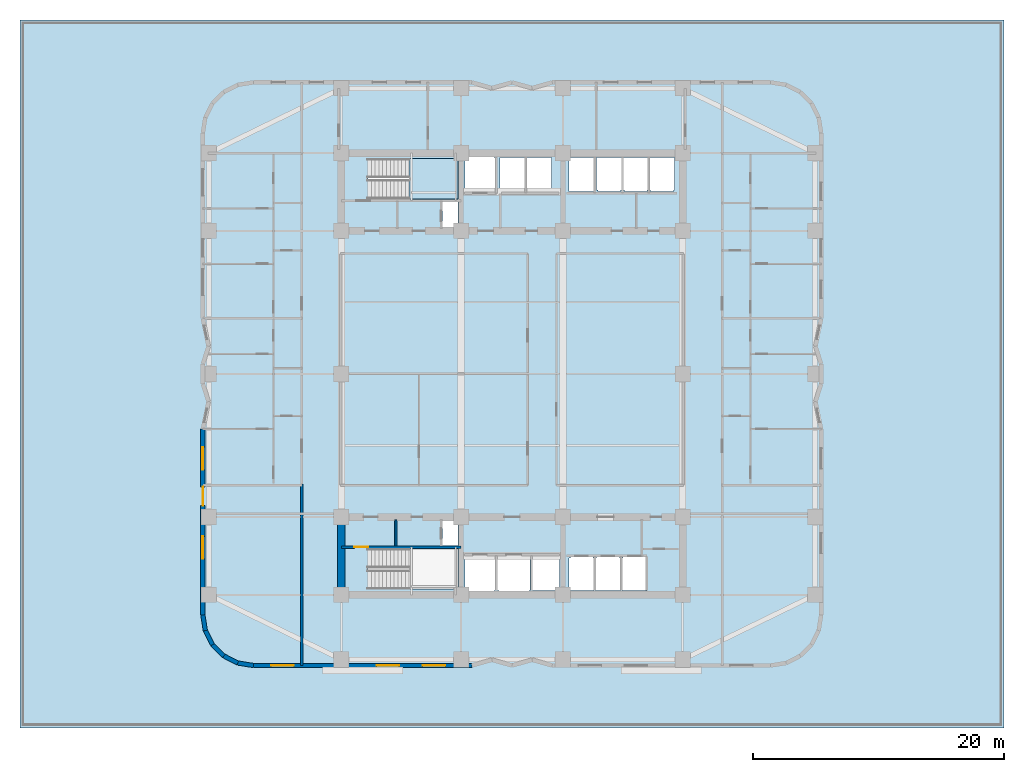
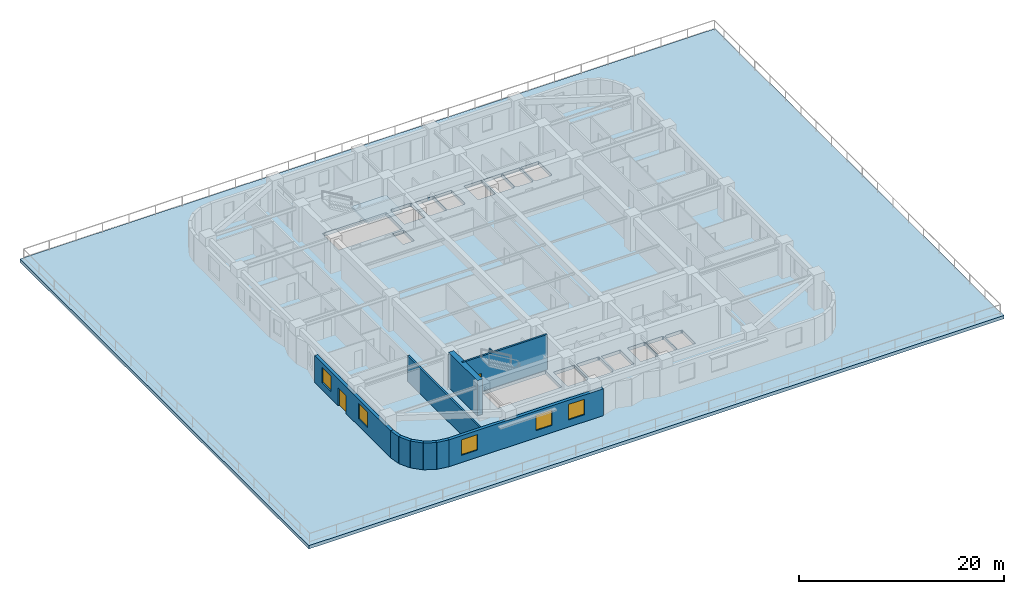
# One storey, part 2 of 11: 11 walls, 5 windows, 2 doors, 2 slabs, 7 openings, 1 element without a shape of its own.
"""IFC4 building model written with IfcOpenShell, lengths in metres."""

from ifc_helpers import new_model, si_unit, direction, frame, frame_2d, origin, place, context, subcontext, project, spatial, polyline, rectangle, outline, extrude, material, layer, layer_set, type_object, element, fill, aggregate, save


model = new_model("IFC4")

# Units and contexts
model_context = context("Model", 3, precision=1e-05, world=origin(), true_north=direction((0.0, 1.0)))
body_context = subcontext(model_context, "Body", "Model", "MODEL_VIEW")
ifc_project = project(units=[si_unit("LENGTHUNIT", "METRE"), si_unit("AREAUNIT", "SQUARE_METRE"), si_unit("VOLUMEUNIT", "CUBIC_METRE"), si_unit("PLANEANGLEUNIT", "RADIAN"), si_unit("MASSUNIT", "GRAM", prefix="KILO")], contexts=[model_context])

# Site, building, storey
site_placement = place(None, origin())
site = spatial("IfcSite", under=ifc_project, at=site_placement, CompositionType="ELEMENT")
building_placement = place(site_placement, origin())
building = spatial("IfcBuilding", under=site, at=building_placement, Name="Svetorya Sky Lyceum", CompositionType="ELEMENT")
storey_placement = place(building_placement, frame((0.0, 0.0, 24.60009765625)))
storey = spatial("IfcBuildingStorey", under=building, at=storey_placement, Name="L05", CompositionType="ELEMENT", Elevation=24.60009765625)

# Stair, slab
ifc_material_1 = material(Name="Concrete C40/50", Category="concrete")
stair_type = type_object("IfcStairType", Name="STR-ST-N", PredefinedType="HALF_TURN_STAIR", material=ifc_material_1)
stair_placement = place(storey_placement, origin())
stair = element("IfcStair", 1, at=stair_placement, inside=storey, type_object=stair_type, Name="L05 North Core Smoke-Free Exit Stair N3", PredefinedType="HALF_TURN_STAIR")
ifc_layer_1 = layer(ifc_material_1, 0.199951171875)
ifc_layer_set_1 = layer_set([ifc_layer_1], Name="Concrete C40/50")
slab_type_1 = type_object("IfcSlabType", Name="SL-STR-LAND-200", PredefinedType="LANDING", material=ifc_layer_set_1)
slab_1_placement = place(storey_placement, frame((0.0, 0.0, 1.89990234375)))
slab_1 = element("IfcSlab", 2, at=slab_1_placement, type_object=slab_type_1, Name="ST-N landing 1", PredefinedType="LANDING", context=body_context, shape_type="SweptSolid", body=[
    extrude(outline(polyline([(31.0, 42.14990234375), (34.89990234375, 42.14990234375), (34.89990234375, 45.35009765625), (31.0, 45.35009765625), (31.0, 42.14990234375)])), origin(), (0.0, 0.0, 1.0), 0.199951171875),
])
aggregate(stair, [slab_1])

# Slab
ifc_material_2 = material(Name="Concrete C60/75", Category="concrete")
ifc_layer_2 = layer(ifc_material_2, 0.39990234375)
ifc_layer_set_2 = layer_set([ifc_layer_2], Name="Concrete C60/75")
slab_type_2 = type_object("IfcSlabType", Name="SL-TRF-400", PredefinedType="FLOOR", material=ifc_layer_set_2)
slab_2_placement = place(storey_placement, frame((0.0, 0.0, -0.400146484375)))
element("IfcSlab", 3, at=slab_2_placement, inside=storey, type_object=slab_type_2, Name="L05 Structural Floor Slab", PredefinedType="FLOOR", context=body_context, shape_type="SweptSolid", body=[
    extrude(outline(polyline([(0.0, 0.0), (78.39990234375, 0.0), (78.39990234375, 56.39990234375), (0.0, 56.39990234375), (0.0, 0.0)]), holes=[polyline([(35.550048828125, 13.64990234375), (37.75, 13.64990234375), (37.85009765625, 13.64990234375), (37.85009765625, 10.949951171875), (37.75, 10.949951171875), (37.75, 10.85009765625), (35.550048828125, 10.85009765625), (35.550048828125, 10.949951171875), (35.449951171875, 10.949951171875), (35.449951171875, 13.64990234375), (35.550048828125, 13.64990234375)]), polyline([(40.64990234375, 10.949951171875), (40.550048828125, 10.949951171875), (40.550048828125, 10.800048828125), (38.14990234375, 10.800048828125), (38.14990234375, 10.949951171875), (38.050048828125, 10.949951171875), (38.050048828125, 13.64990234375), (38.14990234375, 13.64990234375), (38.14990234375, 13.699951171875), (40.550048828125, 13.699951171875), (40.550048828125, 13.64990234375), (40.64990234375, 13.64990234375), (40.64990234375, 10.949951171875)]), polyline([(40.85009765625, 13.64990234375), (43.0, 13.64990234375), (43.0, 10.949951171875), (40.85009765625, 10.949951171875), (40.85009765625, 13.64990234375)]), polyline([(27.719970703125, 14.25), (34.89990234375, 14.25), (34.89990234375, 11.050048828125), (27.719970703125, 11.050048828125), (27.719970703125, 14.25)]), polyline([(33.64990234375, 16.580078125), (34.89990234375, 16.580078125), (34.89990234375, 14.52001953125), (33.64990234375, 14.52001953125), (33.64990234375, 16.580078125)]), polyline([(33.64990234375, 39.820068359375), (33.64990234375, 41.89990234375), (34.89990234375, 41.89990234375), (34.89990234375, 39.820068359375), (33.64990234375, 39.820068359375)]), polyline([(27.719970703125, 45.35009765625), (34.89990234375, 45.35009765625), (34.89990234375, 42.14990234375), (27.719970703125, 42.14990234375), (27.719970703125, 45.35009765625)]), polyline([(35.550048828125, 42.75), (35.449951171875, 42.75), (35.449951171875, 45.449951171875), (35.550048828125, 45.449951171875), (35.550048828125, 45.550048828125), (37.75, 45.550048828125), (37.75, 45.449951171875), (37.85009765625, 45.449951171875), (37.85009765625, 42.75), (37.75, 42.75), (35.550048828125, 42.75)]), polyline([(40.199951171875, 42.85009765625), (40.199951171875, 42.75), (38.39990234375, 42.75), (38.39990234375, 42.85009765625), (38.25, 42.85009765625), (38.25, 45.449951171875), (38.39990234375, 45.449951171875), (40.199951171875, 45.449951171875), (40.25, 45.449951171875), (40.25, 42.85009765625), (40.199951171875, 42.85009765625)]), polyline([(40.39990234375, 42.85009765625), (40.35009765625, 42.85009765625), (40.35009765625, 45.449951171875), (40.39990234375, 45.449951171875), (42.300048828125, 45.449951171875), (42.35009765625, 45.449951171875), (42.35009765625, 42.85009765625), (42.300048828125, 42.85009765625), (42.300048828125, 42.75), (40.39990234375, 42.75), (40.39990234375, 42.85009765625)]), polyline([(43.85009765625, 10.949951171875), (43.75, 10.949951171875), (43.75, 13.550048828125), (43.85009765625, 13.550048828125), (43.85009765625, 13.60009765625), (45.64990234375, 13.60009765625), (45.64990234375, 13.550048828125), (45.75, 13.550048828125), (45.75, 10.949951171875), (45.64990234375, 10.949951171875), (43.85009765625, 10.949951171875)]), polyline([(45.949951171875, 10.949951171875), (45.85009765625, 10.949951171875), (45.85009765625, 13.550048828125), (45.949951171875, 13.550048828125), (45.949951171875, 13.60009765625), (47.75, 13.60009765625), (47.75, 13.550048828125), (47.85009765625, 13.550048828125), (47.85009765625, 10.949951171875), (47.75, 10.949951171875), (45.949951171875, 10.949951171875)]), polyline([(49.85009765625, 13.550048828125), (49.949951171875, 13.550048828125), (49.949951171875, 10.949951171875), (49.85009765625, 10.949951171875), (48.050048828125, 10.949951171875), (47.949951171875, 10.949951171875), (47.949951171875, 13.550048828125), (48.050048828125, 13.550048828125), (48.050048828125, 13.60009765625), (49.85009765625, 13.60009765625), (49.85009765625, 13.550048828125)]), polyline([(43.75, 42.85009765625), (43.75, 45.449951171875), (45.699951171875, 45.449951171875), (45.75, 45.449951171875), (45.75, 42.85009765625), (45.699951171875, 42.85009765625), (45.699951171875, 42.75), (43.75, 42.75), (43.75, 42.85009765625)]), polyline([(46.050048828125, 42.85009765625), (45.949951171875, 42.85009765625), (45.949951171875, 45.449951171875), (46.050048828125, 45.449951171875), (47.85009765625, 45.449951171875), (47.949951171875, 45.449951171875), (47.949951171875, 42.85009765625), (47.85009765625, 42.85009765625), (47.85009765625, 42.75), (46.050048828125, 42.75), (46.050048828125, 42.85009765625)]), polyline([(48.14990234375, 42.85009765625), (48.050048828125, 42.85009765625), (48.050048828125, 45.449951171875), (48.14990234375, 45.449951171875), (49.949951171875, 45.449951171875), (50.050048828125, 45.449951171875), (50.050048828125, 42.85009765625), (49.949951171875, 42.85009765625), (49.949951171875, 42.75), (48.14990234375, 42.75), (48.14990234375, 42.85009765625)]), polyline([(50.25, 42.85009765625), (50.14990234375, 42.85009765625), (50.14990234375, 45.449951171875), (50.25, 45.449951171875), (52.050048828125, 45.449951171875), (52.14990234375, 45.449951171875), (52.14990234375, 42.85009765625), (52.050048828125, 42.85009765625), (52.050048828125, 42.75), (50.25, 42.75), (50.25, 42.85009765625)])]), origin(), (0.0, 0.0, 1.0), 0.400146484375),
])

# Walls
ifc_layer_3 = layer(ifc_material_2, 0.60009765625)
ifc_layer_set_3 = layer_set([ifc_layer_3], Name="Concrete C60/75")
wall_type_1 = type_object("IfcWallType", Name="WL-CORE-600", PredefinedType="SHEAR", material=ifc_layer_set_3)
wall_1_placement = place(storey_placement, frame((25.60009765625, 10.89990234375, 0.0), z_axis=(0.0, 0.0, 1.0), x_axis=(0.0, 1.0, 0.0)))
element("IfcWall", 4, at=wall_1_placement, inside=storey, type_object=wall_type_1, Name="L05 SC West Core Shear Wall", PredefinedType="SHEAR", context=body_context, shape_type="SweptSolid", body=[
    extrude(rectangle(XDim=5.60009765625, YDim=0.60009765625, at=frame_2d((2.800048828125, 0.0))), origin(), (0.0, 0.0, 1.0), 4.199951171875),
])
ifc_material_3 = material(Name="Putilovo limestone rainscreen on autoclaved cellular masonry", Category="masonry")
ifc_layer_4 = layer(ifc_material_3, 0.340087890625)
ifc_layer_set_4 = layer_set([ifc_layer_4], Name="Putilovo limestone rainscreen on autoclaved cellular masonry")
wall_type_2 = type_object("IfcWallType", Name="WL-EXT-340", PredefinedType="SOLIDWALL", material=ifc_layer_set_4)
wall_2_placement = place(storey_placement, frame((14.570068359375, 9.0, 0.0), z_axis=(0.0, 0.0, 1.0), x_axis=(0.156260864002, -0.98771582066, 0.0)))
element("IfcWall", 5, at=wall_2_placement, inside=storey, type_object=wall_type_2, Name="L05 Limestone Exterior Wall 1M", PredefinedType="SOLIDWALL", context=body_context, shape_type="SweptSolid", body=[
    extrude(rectangle(XDim=1.2607421875, YDim=0.340087890625, at=frame_2d((0.63037109375, 0.0))), origin(), (0.0, 0.0, 1.0), 3.199951171875),
])
wall_3_placement = place(storey_placement, frame((14.76708984375, 7.754638671875, 0.0), z_axis=(0.0, 0.0, 1.0), x_axis=(0.454015689056, -0.890993689142, 0.0)))
element("IfcWall", 6, at=wall_3_placement, inside=storey, type_object=wall_type_2, Name="L05 Limestone Exterior Wall 2M", PredefinedType="SOLIDWALL", context=body_context, shape_type="SweptSolid", body=[
    extrude(rectangle(XDim=1.260986328125, YDim=0.340087890625, at=frame_2d((0.63037109375, 0.0))), origin(), (0.0, 0.0, 1.0), 3.199951171875),
])
wall_4_placement = place(storey_placement, frame((15.339599609375, 6.631103515625, 0.0), z_axis=(0.0, 0.0, 1.0), x_axis=(0.707203598708, -0.707009950407, 0.0)))
element("IfcWall", 7, at=wall_4_placement, inside=storey, type_object=wall_type_2, Name="L05 Limestone Exterior Wall 3M", PredefinedType="SOLIDWALL", context=body_context, shape_type="SweptSolid", body=[
    extrude(rectangle(XDim=1.2607421875, YDim=0.340087890625, at=frame_2d((0.63037109375, 0.0))), origin(), (0.0, 0.0, 1.0), 3.199951171875),
])
for number, where, z_axis, x_axis, name in (
    (8, (16.231201171875, 5.73974609375, 0.0), (0.0, 0.0, 1.0), (0.890993689142, -0.454015689056, 0.0), "L05 Limestone Exterior Wall 4M"),
    (9, (17.354736328125, 5.167236328125, 0.0), (0.0, 0.0, 1.0), (0.987685918112, -0.15644975923, 0.0), "L05 Limestone Exterior Wall 5M"),
):
    element("IfcWall", number, at=place(storey_placement, frame(where, z_axis=z_axis, x_axis=x_axis)), inside=storey, type_object=wall_type_2, Name=name, PredefinedType="SOLIDWALL", context=body_context, shape_type="SweptSolid", body=[
        extrude(rectangle(XDim=1.260986328125, YDim=0.340087890625, at=frame_2d((0.63037109375, 0.0))), origin(), (0.0, 0.0, 1.0), 3.199951171875),
    ])

# Wall, openings, windows
wall_5_placement = place(storey_placement, frame((18.60009765625, 4.969970703125, 0.0), z_axis=(0.0, 0.0, 1.0), x_axis=(1.0, 0.0, 0.0)))
wall_5 = element("IfcWall", 10, at=wall_5_placement, inside=storey, type_object=wall_type_2, Name="L05 Limestone Exterior Wall 6M", PredefinedType="SOLIDWALL", context=body_context, shape_type="SweptSolid", body=[
    extrude(rectangle(XDim=17.39990234375, YDim=0.340087890625, at=frame_2d((8.699951171875, 0.0))), origin(), (0.0, 0.0, 1.0), 3.199951171875),
])
opening_1_placement = place(wall_5_placement, frame((1.41259765625, 0.0, 0.85009765625)))
opening_1 = element("IfcOpeningElement", 11, at=opening_1_placement, cuts=wall_5, Name="Opening W-R1", PredefinedType="OPENING", context=body_context, shape_type="SweptSolid", body=[
    extrude(rectangle(XDim=1.800048828125, YDim=1.85009765625, at=frame_2d((0.89990234375, 0.925048828125))), frame((0.0, 0.179931640625, 0.0), z_axis=(0.0, -1.0, 0.0), x_axis=(1.0, 0.0, 0.0)), (0.0, 0.0, 1.0), 0.360107421875),
])
opening_2_placement = place(wall_5_placement, frame((9.8125, 0.0, 0.85009765625)))
opening_2 = element("IfcOpeningElement", 12, at=opening_2_placement, cuts=wall_5, Name="Opening W-R1", PredefinedType="OPENING", context=body_context, shape_type="SweptSolid", body=[
    extrude(rectangle(XDim=1.800048828125, YDim=1.85009765625, at=frame_2d((0.89990234375, 0.925048828125))), frame((0.0, 0.179931640625, 0.0), z_axis=(0.0, -1.0, 0.0), x_axis=(1.0, 0.0, 0.0)), (0.0, 0.0, 1.0), 0.360107421875),
])
opening_3_placement = place(wall_5_placement, frame((13.487548828125, 0.0, 0.85009765625)))
opening_3 = element("IfcOpeningElement", 13, at=opening_3_placement, cuts=wall_5, Name="Opening W-R1", PredefinedType="OPENING", context=body_context, shape_type="SweptSolid", body=[
    extrude(rectangle(XDim=1.800048828125, YDim=1.85009765625, at=frame_2d((0.89990234375, 0.925048828125))), frame((0.0, 0.179931640625, 0.0), z_axis=(0.0, -1.0, 0.0), x_axis=(1.0, 0.0, 0.0)), (0.0, 0.0, 1.0), 0.360107421875),
])
ifc_material_4 = material(Name="Thermally broken aluminium frame with triple low-E glazing", Category="aluminium")
window_type = type_object("IfcWindowType", Name="WN-RES-180", PartitioningType="DOUBLE_PANEL_VERTICAL", PredefinedType="WINDOW", material=ifc_material_4)
window_1_placement = place(opening_1_placement, origin())
window_1 = element("IfcWindow", 14, at=window_1_placement, inside=storey, type_object=window_type, Name="L05 Facade Window W-R1.6M.1", OverallHeight=1.85009765625, OverallWidth=1.800048828125, PartitioningType="SINGLE_PANEL", PredefinedType="WINDOW", context=body_context, shape_type="SweptSolid", body=[
    extrude(rectangle(XDim=1.800048828125, YDim=1.85009765625, at=frame_2d((0.89990234375, 0.925048828125))), frame((0.0, 0.030029296875, 0.0), z_axis=(0.0, -1.0, 0.0), x_axis=(1.0, 0.0, 0.0)), (0.0, 0.0, 1.0), 0.06005859375),
])
fill(opening_1, window_1)
window_2_placement = place(opening_2_placement, origin())
window_2 = element("IfcWindow", 15, at=window_2_placement, inside=storey, type_object=window_type, Name="L05 Facade Window W-R1.6M.2", OverallHeight=1.85009765625, OverallWidth=1.800048828125, PartitioningType="SINGLE_PANEL", PredefinedType="WINDOW", context=body_context, shape_type="SweptSolid", body=[
    extrude(rectangle(XDim=1.800048828125, YDim=1.85009765625, at=frame_2d((0.89990234375, 0.925048828125))), frame((0.0, 0.030029296875, 0.0), z_axis=(0.0, -1.0, 0.0), x_axis=(1.0, 0.0, 0.0)), (0.0, 0.0, 1.0), 0.06005859375),
])
fill(opening_2, window_2)
window_3_placement = place(opening_3_placement, origin())
window_3 = element("IfcWindow", 16, at=window_3_placement, inside=storey, type_object=window_type, Name="L05 Facade Window W-R1.6M.3", OverallHeight=1.85009765625, OverallWidth=1.800048828125, PartitioningType="SINGLE_PANEL", PredefinedType="WINDOW", context=body_context, shape_type="SweptSolid", body=[
    extrude(rectangle(XDim=1.800048828125, YDim=1.85009765625, at=frame_2d((0.89990234375, 0.925048828125))), frame((0.0, 0.030029296875, 0.0), z_axis=(0.0, -1.0, 0.0), x_axis=(1.0, 0.0, 0.0)), (0.0, 0.0, 1.0), 0.06005859375),
])
fill(opening_3, window_3)

# Wall, openings, door, windows
wall_6_placement = place(storey_placement, frame((14.570068359375, 23.800048828125, 0.0), z_axis=(0.0, 0.0, 1.0), x_axis=(0.0, -1.0, 0.0)))
wall_6 = element("IfcWall", 17, at=wall_6_placement, inside=storey, type_object=wall_type_2, Name="L05 Limestone Exterior Wall 46M", PredefinedType="SOLIDWALL", context=body_context, shape_type="SweptSolid", body=[
    extrude(rectangle(XDim=14.800048828125, YDim=0.340087890625, at=frame_2d((7.39990234375, 0.0))), origin(), (0.0, 0.0, 1.0), 3.199951171875),
])
opening_4_placement = place(wall_6_placement, frame((1.4375, 0.0, 0.85009765625)))
opening_4 = element("IfcOpeningElement", 18, at=opening_4_placement, cuts=wall_6, Name="Opening W-R1", PredefinedType="OPENING", context=body_context, shape_type="SweptSolid", body=[
    extrude(rectangle(XDim=1.800048828125, YDim=1.85009765625, at=frame_2d((0.89990234375, 0.925048828125))), frame((0.0, 0.179931640625, 0.0), z_axis=(0.0, -1.0, 0.0), x_axis=(1.0, 0.0, 0.0)), (0.0, 0.0, 1.0), 0.360107421875),
])
opening_5_placement = place(wall_6_placement, frame((4.60009765625, 0.0, 0.0)))
opening_5 = element("IfcOpeningElement", 19, at=opening_5_placement, cuts=wall_6, Name="Opening D-TR1", PredefinedType="OPENING", context=body_context, shape_type="SweptSolid", body=[
    extrude(rectangle(XDim=1.5, YDim=2.10009765625, at=frame_2d((0.75, 1.050048828125))), frame((0.0, 0.179931640625, 0.0), z_axis=(0.0, -1.0, 0.0), x_axis=(1.0, 0.0, 0.0)), (0.0, 0.0, 1.0), 0.360107421875),
])
opening_6_placement = place(wall_6_placement, frame((8.53759765625, 0.0, 0.85009765625)))
opening_6 = element("IfcOpeningElement", 20, at=opening_6_placement, cuts=wall_6, Name="Opening W-R1", PredefinedType="OPENING", context=body_context, shape_type="SweptSolid", body=[
    extrude(rectangle(XDim=1.800048828125, YDim=1.85009765625, at=frame_2d((0.89990234375, 0.925048828125))), frame((0.0, 0.179931640625, 0.0), z_axis=(0.0, -1.0, 0.0), x_axis=(1.0, 0.0, 0.0)), (0.0, 0.0, 1.0), 0.360107421875),
])
ifc_material_5 = material(Name="Insulated glazed aluminium terrace door", Category="aluminium")
door_type_1 = type_object("IfcDoorType", Name="DR-TER-1500", OperationType="DOUBLE_DOOR_SINGLE_SWING", PredefinedType="DOOR", material=ifc_material_5)
door_1_placement = place(opening_5_placement, origin())
door_1 = element("IfcDoor", 21, at=door_1_placement, inside=storey, type_object=door_type_1, Name="L05 Setback Terrace Door", OperationType="DOUBLE_DOOR_SINGLE_SWING", OverallHeight=2.10009765625, OverallWidth=1.5, PredefinedType="DOOR", context=body_context, shape_type="SweptSolid", body=[
    extrude(rectangle(XDim=1.5, YDim=2.10009765625, at=frame_2d((0.75, 1.050048828125))), frame((0.0, 0.02490234375, 0.0), z_axis=(0.0, -1.0, 0.0), x_axis=(1.0, 0.0, 0.0)), (0.0, 0.0, 1.0), 0.050048828125),
])
fill(opening_5, door_1)
window_4_placement = place(opening_4_placement, origin())
window_4 = element("IfcWindow", 22, at=window_4_placement, inside=storey, type_object=window_type, Name="L05 Facade Window W-R1.46M.1", OverallHeight=1.85009765625, OverallWidth=1.800048828125, PartitioningType="SINGLE_PANEL", PredefinedType="WINDOW", context=body_context, shape_type="SweptSolid", body=[
    extrude(rectangle(XDim=1.800048828125, YDim=1.85009765625, at=frame_2d((0.89990234375, 0.925048828125))), frame((0.0, 0.030029296875, 0.0), z_axis=(0.0, -1.0, 0.0), x_axis=(1.0, 0.0, 0.0)), (0.0, 0.0, 1.0), 0.06005859375),
])
fill(opening_4, window_4)
window_5_placement = place(opening_6_placement, origin())
window_5 = element("IfcWindow", 23, at=window_5_placement, inside=storey, type_object=window_type, Name="L05 Facade Window W-R1.46M.2", OverallHeight=1.85009765625, OverallWidth=1.800048828125, PartitioningType="SINGLE_PANEL", PredefinedType="WINDOW", context=body_context, shape_type="SweptSolid", body=[
    extrude(rectangle(XDim=1.800048828125, YDim=1.85009765625, at=frame_2d((0.89990234375, 0.925048828125))), frame((0.0, 0.030029296875, 0.0), z_axis=(0.0, -1.0, 0.0), x_axis=(1.0, 0.0, 0.0)), (0.0, 0.0, 1.0), 0.06005859375),
])
fill(opening_6, window_5)

# Walls
ifc_material_6 = material(Name="Autoclaved cellular masonry blockwork with acoustic render", Category="masonry")
ifc_layer_5 = layer(ifc_material_6, 0.14990234375)
ifc_layer_set_5 = layer_set([ifc_layer_5], Name="Autoclaved cellular masonry blockwork with acoustic render")
wall_type_3 = type_object("IfcWallType", Name="WL-PART-150", PredefinedType="PARTITIONING", material=ifc_layer_set_5)
wall_7_placement = place(storey_placement, frame((29.949951171875, 14.5, 0.0), z_axis=(0.0, 0.0, 1.0), x_axis=(0.0, 1.0, 0.0)))
element("IfcWall", 24, at=wall_7_placement, inside=storey, type_object=wall_type_3, Name="L05 Interior Partition SC-SWD1", PredefinedType="PARTITIONING", context=body_context, shape_type="SweptSolid", body=[
    extrude(rectangle(XDim=2.080078125, YDim=0.14990234375, at=frame_2d((1.0400390625, 0.0))), origin(), (0.0, 0.0, 1.0), 3.02978515625),
])
ifc_material_7 = material(Name="Autoclaved cellular masonry blockwork with gypsum plaster", Category="masonry")
ifc_layer_6 = layer(ifc_material_7, 0.199951171875)
ifc_layer_set_6 = layer_set([ifc_layer_6], Name="Autoclaved cellular masonry blockwork with gypsum plaster")
wall_type_4 = type_object("IfcWallType", Name="WL-PART-200", PredefinedType="PARTITIONING", material=ifc_layer_set_6)
wall_8_placement = place(storey_placement, frame((22.449951171875, 4.969970703125, 0.0), z_axis=(0.0, 0.0, 1.0), x_axis=(0.0, 1.0, 0.0)))
element("IfcWall", 25, at=wall_8_placement, inside=storey, type_object=wall_type_4, Name="L05 Interior Partition WC-SW-END", PredefinedType="PARTITIONING", context=body_context, shape_type="SweptSolid", body=[
    extrude(rectangle(XDim=14.47998046875, YDim=0.199951171875, at=frame_2d((7.239990234375, 0.0))), origin(), (0.0, 0.0, 1.0), 3.02978515625),
])

# Wall, opening, door
ifc_material_8 = material(Name="Concrete C50/60", Category="concrete")
ifc_layer_7 = layer(ifc_material_8, 0.199951171875)
ifc_layer_set_7 = layer_set([ifc_layer_7], Name="Concrete C50/60")
wall_type_5 = type_object("IfcWallType", Name="WL-SHW-200", PredefinedType="SHEAR", material=ifc_layer_set_7)
wall_9_placement = place(storey_placement, frame((25.60009765625, 14.39990234375, 0.0), z_axis=(0.0, 0.0, 1.0), x_axis=(1.0, 0.0, 0.0)))
wall_9 = element("IfcWall", 26, at=wall_9_placement, inside=storey, type_object=wall_type_5, Name="L05 Structural Stair Shaft Wall SC-STW", PredefinedType="SHEAR", context=body_context, shape_type="SweptSolid", body=[
    extrude(rectangle(XDim=9.5498046875, YDim=0.199951171875, at=frame_2d((4.77490234375, 0.0))), origin(), (0.0, 0.0, 1.0), 4.199951171875),
])
opening_7_placement = place(wall_9_placement, frame((1.050048828125, 0.0, 0.0)))
opening_7 = element("IfcOpeningElement", 27, at=opening_7_placement, cuts=wall_9, Name="Opening D-ST1", PredefinedType="OPENING", context=body_context, shape_type="SweptSolid", body=[
    extrude(rectangle(XDim=1.10009765625, YDim=2.14990234375, at=frame_2d((0.550048828125, 1.074951171875))), frame((0.0, 0.10986328125, 0.0), z_axis=(0.0, -1.0, 0.0), x_axis=(1.0, 0.0, 0.0)), (0.0, 0.0, 1.0), 0.219970703125),
])
ifc_material_9 = material(Name="Powder-coated insulated galvanized stair fire door")
door_type_2 = type_object("IfcDoorType", Name="DR-FIRE-1100", OperationType="SINGLE_SWING_LEFT", PredefinedType="DOOR", material=ifc_material_9)
door_2_placement = place(opening_7_placement, origin())
door_2 = element("IfcDoor", 28, at=door_2_placement, inside=storey, type_object=door_type_2, Name="L05 Stair ST-S Vestibule Fire Door", OperationType="SINGLE_SWING_LEFT", OverallHeight=2.14990234375, OverallWidth=1.10009765625, PredefinedType="DOOR", context=body_context, shape_type="SweptSolid", body=[
    extrude(rectangle(XDim=1.10009765625, YDim=2.14990234375, at=frame_2d((0.550048828125, 1.074951171875))), frame((0.0, 0.02490234375, 0.0), z_axis=(0.0, -1.0, 0.0), x_axis=(1.0, 0.0, 0.0)), (0.0, 0.0, 1.0), 0.050048828125),
])
fill(opening_7, door_2)

save(model, "model.ifc")
